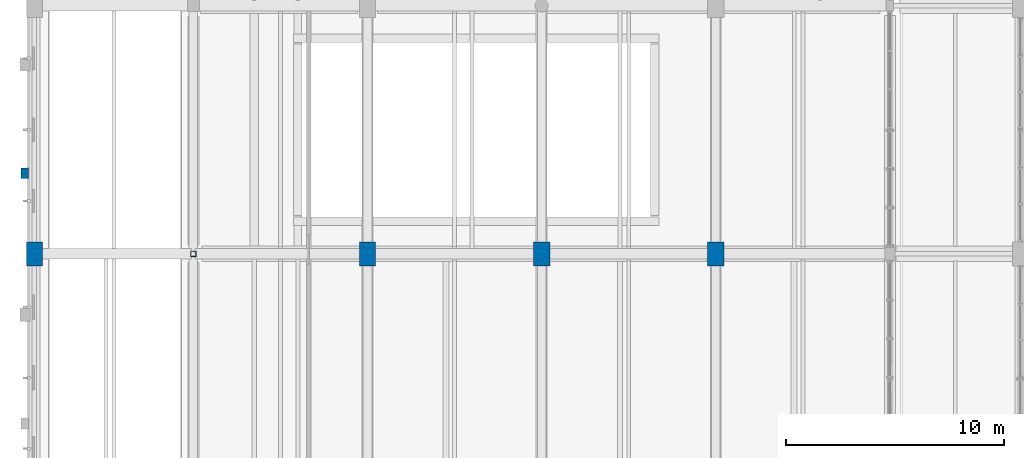
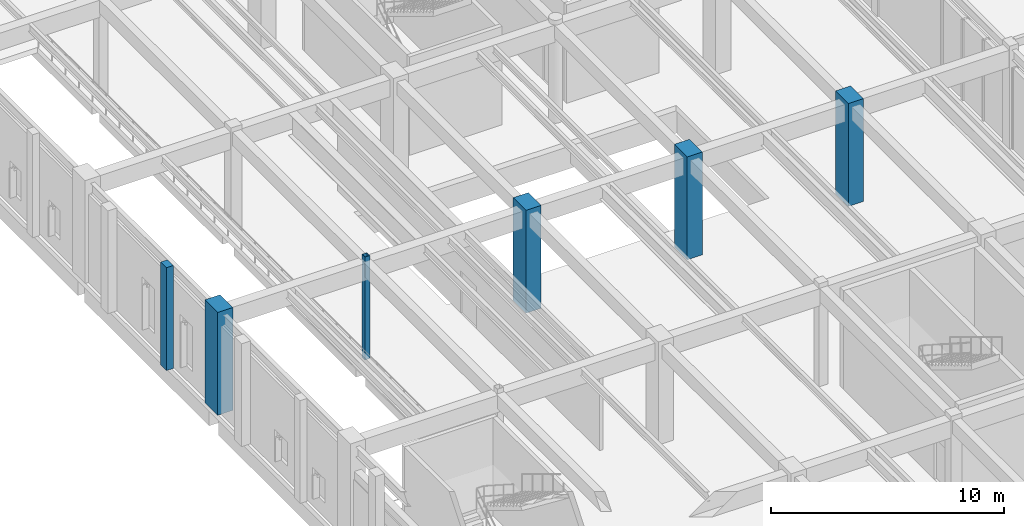
# One storey, part 6 of 113: 6 columns.
"""IFC4 building model written with IfcOpenShell, lengths in metres."""

from ifc_helpers import new_model, si_unit, direction, frame, origin, origin_2d, place, context, subcontext, project, spatial, rectangle, hollow_rectangle, extrude, material, material_profile, profile_set, type_object, element, save


model = new_model("IFC4")

# Units and contexts
model_context = context("Model", 3, precision=1e-05, world=origin(), true_north=direction((0.0, 1.0)))
body_context = subcontext(model_context, "Body", "Model", "MODEL_VIEW")
ifc_project = project(units=[si_unit("LENGTHUNIT", "METRE"), si_unit("AREAUNIT", "SQUARE_METRE"), si_unit("VOLUMEUNIT", "CUBIC_METRE"), si_unit("PLANEANGLEUNIT", "RADIAN"), si_unit("MASSUNIT", "GRAM", prefix="KILO"), si_unit("POWERUNIT", "WATT"), si_unit("THERMODYNAMICTEMPERATUREUNIT", "KELVIN")], contexts=[model_context])

# Site, building, storey
site_placement = place(None, origin())
site = spatial("IfcSite", under=ifc_project, at=site_placement, CompositionType="ELEMENT")
building_placement = place(site_placement, origin())
building = spatial("IfcBuilding", under=site, at=building_placement, Name="Kelmbourne Parkland Aquatics Centre", CompositionType="ELEMENT")
storey_placement = place(building_placement, origin())
storey = spatial("IfcBuildingStorey", under=building, at=storey_placement, Name="L00", CompositionType="ELEMENT", Elevation=0.0)

# Columns
ifc_material_1 = material(Name="Concrete C40/50", Category="concrete")
ifc_material_profile_1 = material_profile(ifc_material_1, rectangle(XDim=0.75, YDim=1.10009765625, at=origin_2d()), Name="RC 750x1100")
ifc_profile_set_1 = profile_set([ifc_material_profile_1], Name="Concrete C40/50")
column_type_1 = type_object("IfcColumnType", Name="COL-C03", PredefinedType="COLUMN", material=ifc_profile_set_1)
for number, where, z_axis, x_axis, name in (
    (1, (0.699951171875, 57.800048828125, 0.0), (0.0, 0.0, 1.0), (1.0, 0.0, 0.0), "Structural column A-08 (L00)"),
    (2, (16.0, 57.800048828125, 0.0), (0.0, 0.0, 1.0), (1.0, 0.0, 0.0), "Structural column C-08 (L00)"),
    (3, (24.0, 57.800048828125, 0.0), (0.0, 0.0, 1.0), (1.0, 0.0, 0.0), "Structural column D-08 (L00)"),
    (4, (32.0, 57.800048828125, 0.0), (0.0, 0.0, 1.0), (1.0, 0.0, 0.0), "Structural column E-08 (L00)"),
):
    element("IfcColumn", number, at=place(storey_placement, frame(where, z_axis=z_axis, x_axis=x_axis)), inside=storey, type_object=column_type_1, Name=name, PredefinedType="COLUMN", context=body_context, shape_type="SweptSolid", body=[
        extrude(rectangle(XDim=0.75, YDim=1.10009765625, at=origin_2d()), origin(), (0.0, 0.0, 1.0), 5.39990234375),
    ])
ifc_material_2 = material(Name="Cold-formed hollow steel AS/NZS 1163 C350L0", Category="steel")
ifc_material_profile_2 = material_profile(ifc_material_2, hollow_rectangle(XDim=0.25, YDim=0.25, WallThickness=0.012451171875, at=origin_2d()), Name="SHS 250x250x12.5")
ifc_profile_set_2 = profile_set([ifc_material_profile_2], Name="Cold-formed hollow steel AS/NZS 1163 C350L0")
column_type_2 = type_object("IfcColumnType", Name="COL-C23", PredefinedType="COLUMN", material=ifc_profile_set_2)
column_1_placement = place(storey_placement, frame((8.0, 57.800048828125, 0.0), z_axis=(0.0, 0.0, 1.0), x_axis=(1.0, 0.0, 0.0)))
element("IfcColumn", 5, at=column_1_placement, inside=storey, type_object=column_type_2, Name="Structural column B-08 (L00)", PredefinedType="COLUMN", context=body_context, shape_type="SweptSolid", body=[
    extrude(hollow_rectangle(XDim=0.25, YDim=0.25, WallThickness=0.012451171875, at=origin_2d()), origin(), (0.0, 0.0, 1.0), 5.39990234375),
])
ifc_material_3 = material(Name="Clay brick masonry AS 3700 M12", Category="masonry")
ifc_material_profile_3 = material_profile(ifc_material_3, rectangle(XDim=0.35009765625, YDim=0.5, at=origin_2d()), Name="PIL 350x500")
ifc_profile_set_3 = profile_set([ifc_material_profile_3], Name="Clay brick masonry AS 3700 M12")
column_type_3 = type_object("IfcColumnType", Name="PIL-PL1", PredefinedType="PILASTER", material=ifc_profile_set_3)
column_2_placement = place(storey_placement, frame((0.260009765625, 61.5, 0.0), z_axis=(0.0, 0.0, 1.0), x_axis=(1.0, 0.0, 0.0)))
element("IfcColumn", 6, at=column_2_placement, inside=storey, type_object=column_type_3, Name="Amsterdam School engaged brick buttress W-011 (L00)", PredefinedType="PILASTER", context=body_context, shape_type="SweptSolid", body=[
    extrude(rectangle(XDim=0.35009765625, YDim=0.5, at=origin_2d()), origin(), (0.0, 0.0, 1.0), 5.39990234375),
])

save(model, "model.ifc")
